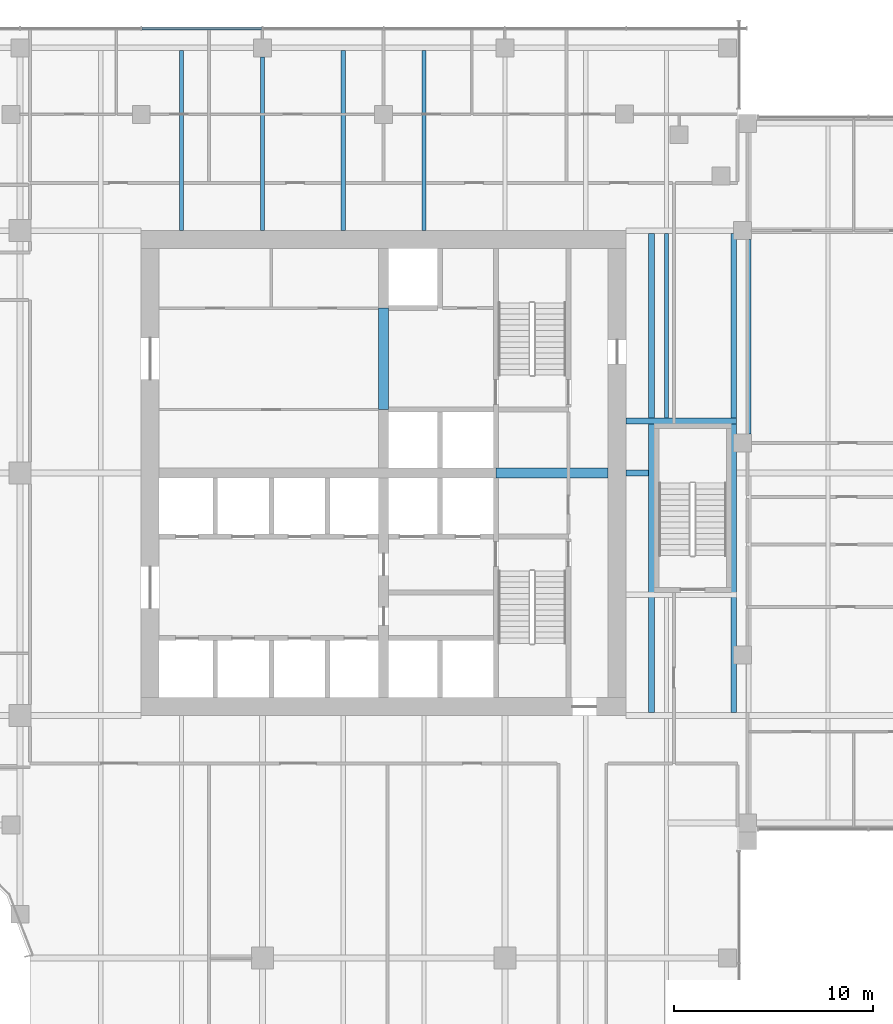
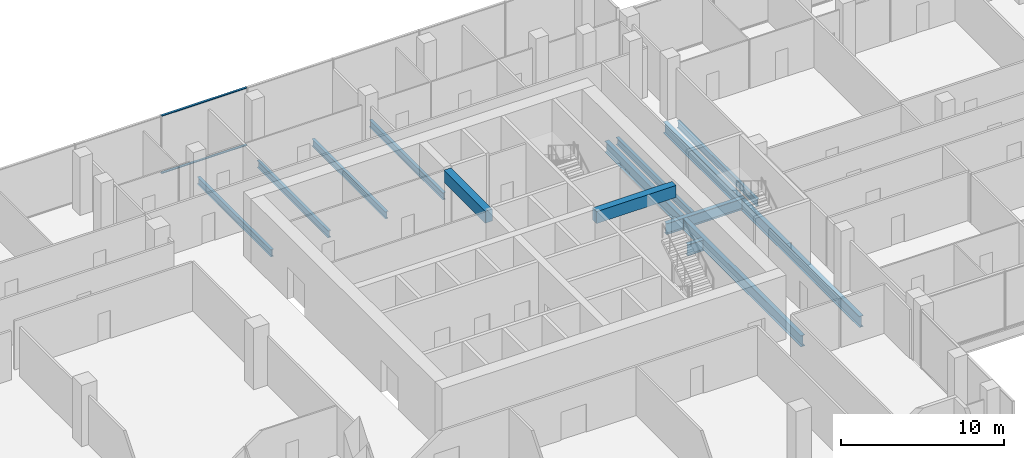
# One storey, part 5 of 33: 12 beams, 2 members, 1 element without a shape of its own.
"""IFC4 building model written with IfcOpenShell, lengths in metres."""

from ifc_helpers import new_model, si_unit, direction, frame, origin, origin_2d, place, context, subcontext, project, spatial, rectangle, i_section, extrude, material, material_profile, profile_set, type_object, element, aggregate, save


model = new_model("IFC4")

# Units and contexts
model_context = context("Model", 3, precision=1e-05, world=origin(), true_north=direction((0.0, 1.0)))
body_context = subcontext(model_context, "Body", "Model", "MODEL_VIEW")
ifc_project = project(units=[si_unit("LENGTHUNIT", "METRE"), si_unit("AREAUNIT", "SQUARE_METRE"), si_unit("VOLUMEUNIT", "CUBIC_METRE"), si_unit("PLANEANGLEUNIT", "RADIAN"), si_unit("MASSUNIT", "GRAM", prefix="KILO")], contexts=[model_context])

# Site, building, storey
site_placement = place(None, origin())
site = spatial("IfcSite", under=ifc_project, at=site_placement, CompositionType="ELEMENT")
building_placement = place(site_placement, origin())
building = spatial("IfcBuilding", under=site, at=building_placement, Name="Tessera Gate Towers", CompositionType="ELEMENT")
storey_placement = place(building_placement, frame((0.0, 0.0, 12.0)))
storey = spatial("IfcBuildingStorey", under=building, at=storey_placement, Name="L02", CompositionType="ELEMENT", Elevation=12.0)

# Beams
ifc_material_1 = material(Name="Concrete C70/85", Category="concrete")
ifc_material_profile_1 = material_profile(ifc_material_1, rectangle(XDim=0.5, YDim=0.89990234375, at=origin_2d()), Name="RC 500x900")
ifc_profile_set_1 = profile_set([ifc_material_profile_1], Name="Concrete C70/85")
beam_type_1 = type_object("IfcBeamType", Name="COUPLING BEAM 500x900 C70/85", PredefinedType="BEAM", material=ifc_profile_set_1)
beam_1_placement = place(storey_placement, frame((48.35009765625, 36.60009765625, 4.14990234375), z_axis=(1.0, 0.0, 0.0), x_axis=(0.0, 1.0, 0.0)))
element("IfcBeam", 1, at=beam_1_placement, inside=storey, type_object=beam_type_1, Name="L02 coupling beam 1", PredefinedType="BEAM", context=body_context, shape_type="SweptSolid", body=[
    extrude(rectangle(XDim=0.5, YDim=0.89990234375, at=origin_2d()), origin(), (0.0, 0.0, 1.0), 5.64990234375),
])
beam_2_placement = place(storey_placement, frame((42.699951171875, 39.800048828125, 4.14990234375), z_axis=(0.0, 1.0, 0.0), x_axis=(-1.0, 0.0, 0.0)))
element("IfcBeam", 2, at=beam_2_placement, inside=storey, type_object=beam_type_1, Name="L02 coupling beam 2", PredefinedType="BEAM", context=body_context, shape_type="SweptSolid", body=[
    extrude(rectangle(XDim=0.5, YDim=0.89990234375, at=origin_2d()), origin(), (0.0, 0.0, 1.0), 5.099853515625),
])
ifc_material_2 = material(Name="Steel 350W", Category="steel")
ifc_material_profile_2 = material_profile(ifc_material_2, i_section(OverallWidth=0.2919921875, OverallDepth=0.8349609375, WebThickness=0.013916015625, FlangeThickness=0.018798828125, at=origin_2d()), Name="W840x176")
ifc_profile_set_2 = profile_set([ifc_material_profile_2], Name="Steel 350W")
beam_type_2 = type_object("IfcBeamType", Name="FLOOR GIRDER W840x176", PredefinedType="BEAM", material=ifc_profile_set_2)
beam_3_placement = place(storey_placement, frame((54.89892578125, 36.60009765625, -0.66748046875), z_axis=(1.0, 0.0, 0.0), x_axis=(0.0, 1.0, 0.0)))
element("IfcBeam", 3, at=beam_3_placement, inside=storey, type_object=beam_type_2, Name="PD-GD-L02-392", PredefinedType="BEAM", context=body_context, shape_type="SweptSolid", body=[
    extrude(i_section(OverallWidth=0.2919921875, OverallDepth=0.8349609375, WebThickness=0.013916015625, FlangeThickness=0.018798828125, at=origin_2d()), origin(), (0.0, 0.0, 1.0), 1.135009765625),
])
beam_4_placement = place(storey_placement, frame((54.89892578125, 39.219970703125, -0.66748046875), z_axis=(1.0, 0.0, 0.0), x_axis=(0.0, 1.0, 0.0)))
element("IfcBeam", 4, at=beam_4_placement, inside=storey, type_object=beam_type_2, Name="PD-GD-L02-446", PredefinedType="BEAM", context=body_context, shape_type="SweptSolid", body=[
    extrude(i_section(OverallWidth=0.2919921875, OverallDepth=0.8349609375, WebThickness=0.013916015625, FlangeThickness=0.018798828125, at=origin_2d()), origin(), (0.0, 0.0, 1.0), 5.567138671875),
])
for number, where, z_axis, x_axis, name in (
    (5, (56.179931640625, 24.5458984375, -0.66748046875), (0.0, 1.0, 0.0), (-1.0, 0.0, 0.0), "PD-GD-L02-449"),
    (6, (60.320068359375, 24.5458984375, -0.66748046875), (0.0, 1.0, 0.0), (-1.0, 0.0, 0.0), "PD-GD-L02-450"),
):
    element("IfcBeam", number, at=place(storey_placement, frame(where, z_axis=z_axis, x_axis=x_axis)), inside=storey, type_object=beam_type_2, Name=name, PredefinedType="BEAM", context=body_context, shape_type="SweptSolid", body=[
        extrude(i_section(OverallWidth=0.2919921875, OverallDepth=0.8349609375, WebThickness=0.013916015625, FlangeThickness=0.018798828125, at=origin_2d()), origin(), (0.0, 0.0, 1.0), 24.108154296875),
    ])
ifc_material_3 = material(Name="Steel 350W", Category="steel")
ifc_material_profile_3 = material_profile(ifc_material_3, i_section(OverallWidth=0.208984375, OverallDepth=0.528076171875, WebThickness=0.009521484375, FlangeThickness=0.01318359375, at=origin_2d()), Name="W530x82")
ifc_profile_set_3 = profile_set([ifc_material_profile_3], Name="Steel 350W")
beam_type_3 = type_object("IfcBeamType", Name="FLOOR SECONDARY W530x82", PredefinedType="BEAM", material=ifc_profile_set_3)
beam_5_placement = place(storey_placement, frame((32.533203125, 48.800048828125, -0.513916015625), z_axis=(0.0, 1.0, 0.0), x_axis=(-1.0, 0.0, 0.0)))
element("IfcBeam", 7, at=beam_5_placement, inside=storey, type_object=beam_type_3, Name="PD-BM-L02-476", PredefinedType="BEAM", context=body_context, shape_type="SweptSolid", body=[
    extrude(i_section(OverallWidth=0.208984375, OverallDepth=0.528076171875, WebThickness=0.009521484375, FlangeThickness=0.01318359375, at=origin_2d()), origin(), (0.0, 0.0, 1.0), 9.053955078125),
])
beam_6_placement = place(storey_placement, frame((36.60009765625, 48.800048828125, -0.513916015625), z_axis=(0.0, 1.0, 0.0), x_axis=(-1.0, 0.0, 0.0)))
element("IfcBeam", 8, at=beam_6_placement, inside=storey, type_object=beam_type_3, Name="PD-BM-L02-477", PredefinedType="BEAM", context=body_context, shape_type="SweptSolid", body=[
    extrude(i_section(OverallWidth=0.208984375, OverallDepth=0.528076171875, WebThickness=0.009521484375, FlangeThickness=0.01318359375, at=origin_2d()), origin(), (0.0, 0.0, 1.0), 8.75),
])
for number, where, z_axis, x_axis, name in (
    (9, (40.666748046875, 48.800048828125, -0.513916015625), (0.0, 1.0, 0.0), (-1.0, 0.0, 0.0), "PD-BM-L02-480"),
    (10, (44.7333984375, 48.800048828125, -0.513916015625), (0.0, 1.0, 0.0), (-1.0, 0.0, 0.0), "PD-BM-L02-483"),
):
    element("IfcBeam", number, at=place(storey_placement, frame(where, z_axis=z_axis, x_axis=x_axis)), inside=storey, type_object=beam_type_3, Name=name, PredefinedType="BEAM", context=body_context, shape_type="SweptSolid", body=[
        extrude(i_section(OverallWidth=0.208984375, OverallDepth=0.528076171875, WebThickness=0.009521484375, FlangeThickness=0.01318359375, at=origin_2d()), origin(), (0.0, 0.0, 1.0), 9.053955078125),
    ])
beam_7_placement = place(storey_placement, frame((56.933349609375, 39.365966796875, -0.513916015625), z_axis=(0.0, 1.0, 0.0), x_axis=(-1.0, 0.0, 0.0)))
element("IfcBeam", 11, at=beam_7_placement, inside=storey, type_object=beam_type_3, Name="PD-BM-L02-492", PredefinedType="BEAM", context=body_context, shape_type="SweptSolid", body=[
    extrude(i_section(OverallWidth=0.208984375, OverallDepth=0.528076171875, WebThickness=0.009521484375, FlangeThickness=0.01318359375, at=origin_2d()), origin(), (0.0, 0.0, 1.0), 9.2880859375),
])
beam_8_placement = place(storey_placement, frame((61.070556640625, 38.574951171875, -0.513916015625), z_axis=(0.0, 1.0, 0.0), x_axis=(-1.0, 0.0, 0.0)))
element("IfcBeam", 12, at=beam_8_placement, inside=storey, type_object=beam_type_3, Name="PD-BM-L02-497", PredefinedType="BEAM", context=body_context, shape_type="SweptSolid", body=[
    extrude(i_section(OverallWidth=0.208984375, OverallDepth=0.528076171875, WebThickness=0.009521484375, FlangeThickness=0.01318359375, at=origin_2d()), origin(), (0.0, 0.0, 1.0), 9.775146484375),
])

# Curtain wall, members
ifc_material_4 = material(Name="Aluminium frame", Category="aluminium")
curtain_wall_type = type_object("IfcCurtainWallType", Name="CW-S1 podium storefront", PredefinedType="NOTDEFINED", material=ifc_material_4)
curtain_wall_placement = place(storey_placement, origin())
curtain_wall = element("IfcCurtainWall", 13, at=curtain_wall_placement, inside=storey, type_object=curtain_wall_type, Name="Curtain wall podium storefront 0211", PredefinedType="NOTDEFINED")
ifc_material_5 = material(Name="Aluminium frame", Category="aluminium")
ifc_material_profile_4 = material_profile(ifc_material_5, rectangle(XDim=0.14990234375, YDim=0.06005859375, at=origin_2d()), Name="AL 60x150")
ifc_profile_set_4 = profile_set([ifc_material_profile_4], Name="Aluminium frame")
member_type = type_object("IfcMemberType", Name="TR-S1 transom 60x150", PredefinedType="USERDEFINED", material=ifc_profile_set_4)
member_1_placement = place(storey_placement, frame((36.570068359375, 58.97509765625, 0.030029296875), z_axis=(-1.0, 0.0, 0.0), x_axis=(0.0, -1.0, 0.0)))
member_1 = element("IfcMember", 14, at=member_1_placement, type_object=member_type, Name="PD-CW1-0211 transom 5.1", ObjectType="TRANSOM", PredefinedType="USERDEFINED", context=body_context, shape_type="SweptSolid", body=[
    extrude(rectangle(XDim=0.14990234375, YDim=0.06005859375, at=origin_2d()), origin(), (0.0, 0.0, 1.0), 6.0400390625),
])
member_2_placement = place(storey_placement, frame((36.570068359375, 58.97509765625, 4.320068359375), z_axis=(-1.0, 0.0, 0.0), x_axis=(0.0, -1.0, 0.0)))
member_2 = element("IfcMember", 15, at=member_2_placement, type_object=member_type, Name="PD-CW1-0211 transom 5.2", ObjectType="TRANSOM", PredefinedType="USERDEFINED", context=body_context, shape_type="SweptSolid", body=[
    extrude(rectangle(XDim=0.14990234375, YDim=0.06005859375, at=origin_2d()), origin(), (0.0, 0.0, 1.0), 6.0400390625),
])
aggregate(curtain_wall, [member_1, member_2])

save(model, "model.ifc")
